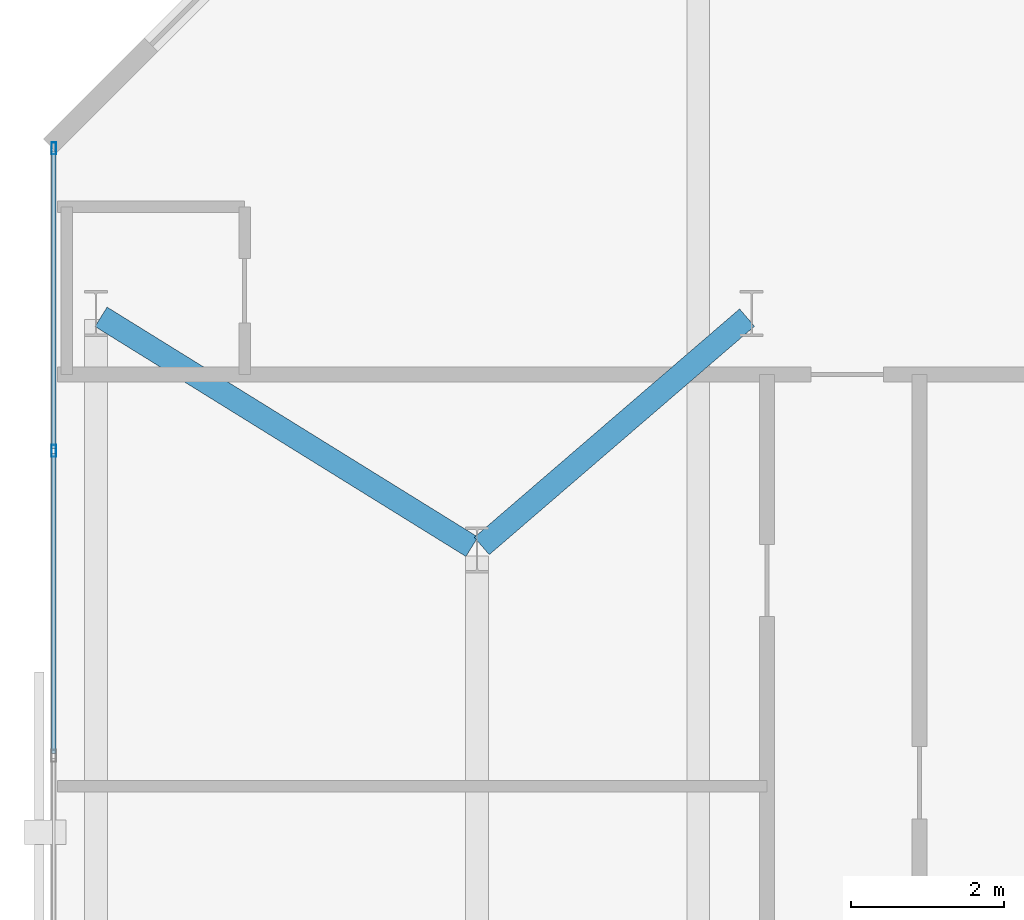
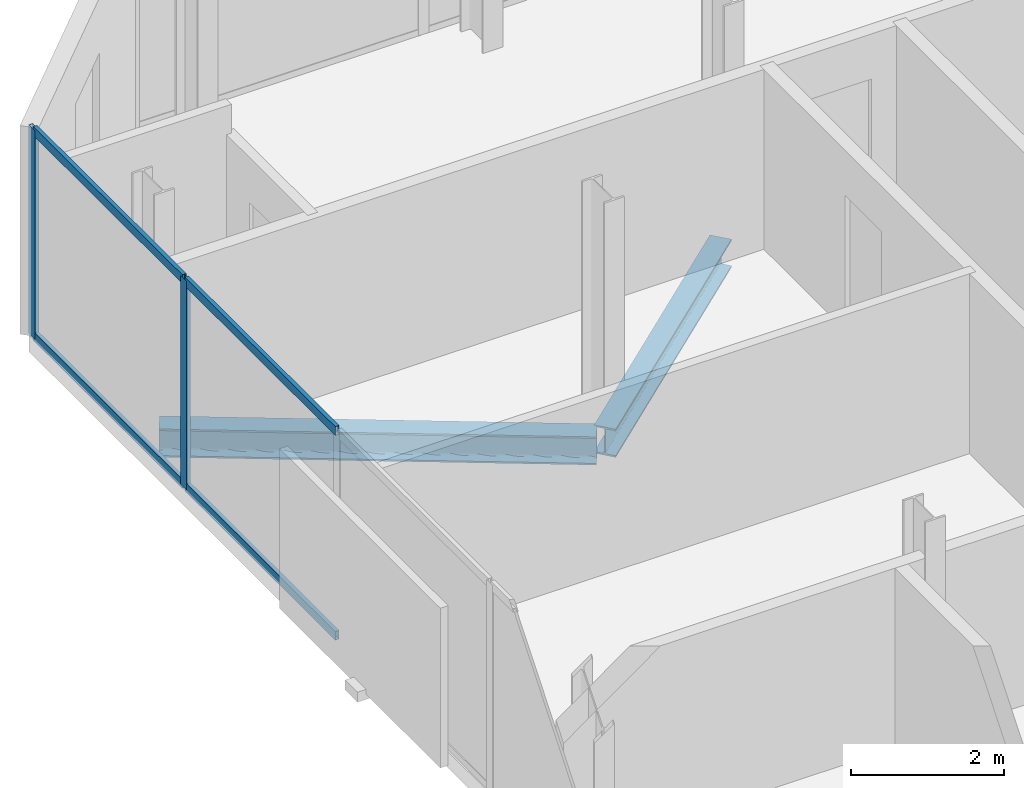
# One storey, part 17 of 32: 6 members, 2 beams, 1 element without a shape of its own.
"""IFC4 building model written with IfcOpenShell, lengths in metres."""

from ifc_helpers import new_model, si_unit, direction, frame, origin, origin_2d, place, context, subcontext, project, spatial, hollow_rectangle, i_section, extrude, material, layer, layer_set, material_profile, profile_set, type_object, element, aggregate, save


model = new_model("IFC4")

# Units and contexts
model_context = context("Model", 3, precision=1e-05, world=origin(), true_north=direction((0.0, 1.0)))
body_context = subcontext(model_context, "Body", "Model", "MODEL_VIEW")
ifc_project = project(units=[si_unit("LENGTHUNIT", "METRE"), si_unit("AREAUNIT", "SQUARE_METRE"), si_unit("VOLUMEUNIT", "CUBIC_METRE"), si_unit("PLANEANGLEUNIT", "RADIAN"), si_unit("MASSUNIT", "GRAM", prefix="KILO")], contexts=[model_context])

# Site, building, storey
site_placement = place(None, origin())
site = spatial("IfcSite", under=ifc_project, at=site_placement, CompositionType="ELEMENT")
building_placement = place(site_placement, origin())
building = spatial("IfcBuilding", under=site, at=building_placement, Name="Catumbela Crestline Tower", CompositionType="ELEMENT")
storey_placement = place(building_placement, frame((0.0, 0.0, 129.6)))
storey = spatial("IfcBuildingStorey", under=building, at=storey_placement, Name="L33", CompositionType="ELEMENT", Elevation=129.6)

# Beams
ifc_material_1 = material(Name="Structural steel S355J2", Category="steel")
ifc_material_profile_1 = material_profile(ifc_material_1, i_section(OverallWidth=0.3, OverallDepth=0.45, WebThickness=0.014, FlangeThickness=0.026, FilletRadius=0.027, at=origin_2d()), Name="HEB 450")
ifc_profile_set_1 = profile_set([ifc_material_profile_1], Name="Structural steel S355J2")
beam_type = type_object("IfcBeamType", Name="BG-HEB450", PredefinedType="BEAM", material=ifc_profile_set_1)
beam_1_placement = place(storey_placement, frame((0.668, 42.2578, -0.485), z_axis=(0.849908952007, -0.526929571479, 0.0), x_axis=(0.526929571479, 0.849908952007, 0.0)))
element("IfcBeam", 1, at=beam_1_placement, inside=storey, type_object=beam_type, Name="L33 Beam BM-L33-N12", PredefinedType="BEAM", context=body_context, shape_type="SweptSolid", body=[
    extrude(i_section(OverallWidth=0.3, OverallDepth=0.45, WebThickness=0.014, FlangeThickness=0.026, FilletRadius=0.027, at=origin_2d()), origin(), (0.0, 0.0, 1.0), 5.723),
])
beam_2_placement = place(storey_placement, frame((5.6606, 39.2522, -0.485), z_axis=(0.757772392559, 0.652518966066, 0.0), x_axis=(-0.652518966066, 0.757772392559, 0.0)))
element("IfcBeam", 2, at=beam_2_placement, inside=storey, type_object=beam_type, Name="L33 Beam BM-L33-N13", PredefinedType="BEAM", context=body_context, shape_type="SweptSolid", body=[
    extrude(i_section(OverallWidth=0.3, OverallDepth=0.45, WebThickness=0.014, FlangeThickness=0.026, FilletRadius=0.027, at=origin_2d()), origin(), (0.0, 0.0, 1.0), 4.5908),
])

# Curtain wall, members
ifc_material_2 = material(Name="Aluminium alloy AW-6060-T66", Category="aluminium")
ifc_layer = layer(ifc_material_2, 0.18, Name="Aluminium alloy AW-6060-T66")
ifc_layer_set = layer_set([ifc_layer], Name="Aluminium alloy AW-6060-T66")
curtain_wall_type = type_object("IfcCurtainWallType", Name="CWU-Z2", PredefinedType="USERDEFINED", material=ifc_layer_set)
curtain_wall_placement = place(storey_placement, origin())
curtain_wall = element("IfcCurtainWall", 3, at=curtain_wall_placement, inside=storey, type_object=curtain_wall_type, Name="L33 Unitised Curtain Wall CW-L33-E9S1", ObjectType="UNITISED", PredefinedType="USERDEFINED")
ifc_material_profile_2 = material_profile(ifc_material_2, hollow_rectangle(XDim=0.06, YDim=0.16, WallThickness=0.004, at=origin_2d()), Name="ALU 160x60x4")
ifc_profile_set_2 = profile_set([ifc_material_profile_2], Name="Aluminium alloy AW-6060-T66")
member_type_1 = type_object("IfcMemberType", Name="MUL-160X60", PredefinedType="MULLION", material=ifc_profile_set_2)
member_1_placement = place(storey_placement, frame((0.05, 44.4675, 0.0), z_axis=(0.0, 0.0, 1.0), x_axis=(1.0, 0.0, 0.0)))
member_1 = element("IfcMember", 4, at=member_1_placement, type_object=member_type_1, Name="CWU-Z2 mullion 1", PredefinedType="MULLION", context=body_context, shape_type="SweptSolid", body=[
    extrude(hollow_rectangle(XDim=0.06, YDim=0.16, WallThickness=0.004, at=origin_2d()), origin(), (0.0, 0.0, 1.0), 3.33),
])
member_2_placement = place(storey_placement, frame((0.05, 40.5, 0.0), z_axis=(0.0, 0.0, 1.0), x_axis=(1.0, 0.0, 0.0)))
member_2 = element("IfcMember", 5, at=member_2_placement, type_object=member_type_1, Name="CWU-Z2 mullion 2", PredefinedType="MULLION", context=body_context, shape_type="SweptSolid", body=[
    extrude(hollow_rectangle(XDim=0.06, YDim=0.16, WallThickness=0.004, at=origin_2d()), origin(), (0.0, 0.0, 1.0), 3.33),
])
ifc_material_profile_3 = material_profile(ifc_material_2, hollow_rectangle(XDim=0.06, YDim=0.14, WallThickness=0.004, at=origin_2d()), Name="ALU 140x60x4")
ifc_profile_set_3 = profile_set([ifc_material_profile_3], Name="Aluminium alloy AW-6060-T66")
member_type_2 = type_object("IfcMemberType", Name="TRN-140X60", PredefinedType="USERDEFINED", material=ifc_profile_set_3)
member_3_placement = place(storey_placement, frame((0.05, 44.435, 0.03), z_axis=(0.0, -1.0, 0.0), x_axis=(1.0, 0.0, 0.0)))
member_3 = element("IfcMember", 6, at=member_3_placement, type_object=member_type_2, Name="CWU-Z2 transom 1.1", ObjectType="TRANSOM", PredefinedType="USERDEFINED", context=body_context, shape_type="SweptSolid", body=[
    extrude(hollow_rectangle(XDim=0.06, YDim=0.14, WallThickness=0.004, at=origin_2d()), origin(), (0.0, 0.0, 1.0), 3.9025),
])
member_4_placement = place(storey_placement, frame((0.05, 44.435, 3.3), z_axis=(0.0, -1.0, 0.0), x_axis=(1.0, 0.0, 0.0)))
member_4 = element("IfcMember", 7, at=member_4_placement, type_object=member_type_2, Name="CWU-Z2 transom 1.2", ObjectType="TRANSOM", PredefinedType="USERDEFINED", context=body_context, shape_type="SweptSolid", body=[
    extrude(hollow_rectangle(XDim=0.06, YDim=0.14, WallThickness=0.004, at=origin_2d()), origin(), (0.0, 0.0, 1.0), 3.9025),
])
member_5_placement = place(storey_placement, frame((0.05, 40.4675, 0.03), z_axis=(0.0, -1.0, 0.0), x_axis=(1.0, 0.0, 0.0)))
member_5 = element("IfcMember", 8, at=member_5_placement, type_object=member_type_2, Name="CWU-Z2 transom 2.1", ObjectType="TRANSOM", PredefinedType="USERDEFINED", context=body_context, shape_type="SweptSolid", body=[
    extrude(hollow_rectangle(XDim=0.06, YDim=0.14, WallThickness=0.004, at=origin_2d()), origin(), (0.0, 0.0, 1.0), 3.935),
])
member_6_placement = place(storey_placement, frame((0.05, 40.4675, 3.3), z_axis=(0.0, -1.0, 0.0), x_axis=(1.0, 0.0, 0.0)))
member_6 = element("IfcMember", 9, at=member_6_placement, type_object=member_type_2, Name="CWU-Z2 transom 2.2", ObjectType="TRANSOM", PredefinedType="USERDEFINED", context=body_context, shape_type="SweptSolid", body=[
    extrude(hollow_rectangle(XDim=0.06, YDim=0.14, WallThickness=0.004, at=origin_2d()), origin(), (0.0, 0.0, 1.0), 3.935),
])
aggregate(curtain_wall, [member_1, member_2, member_3, member_4, member_5, member_6])

save(model, "model.ifc")
